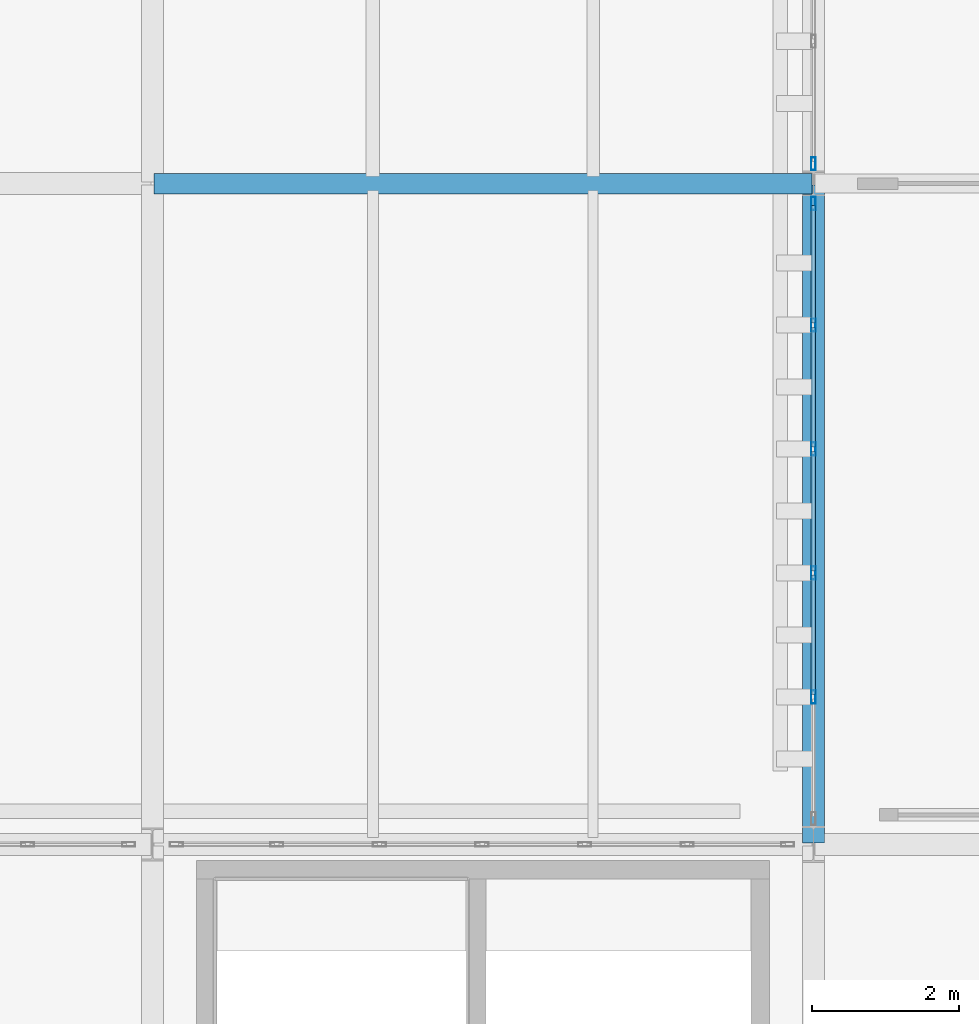
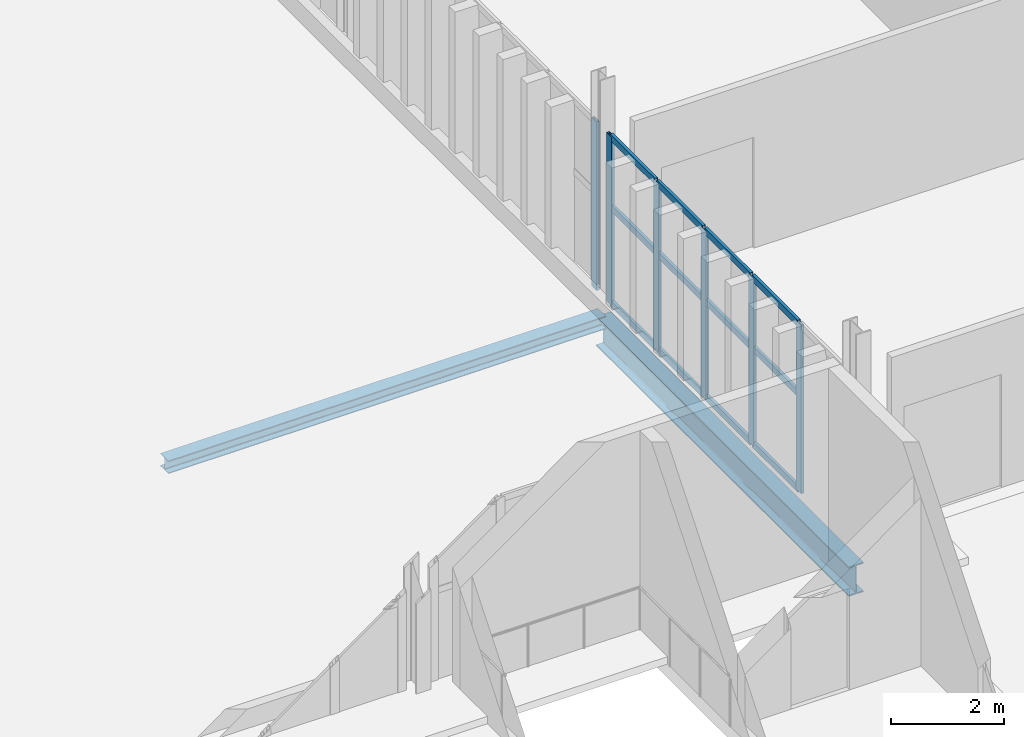
# One storey, part 46 of 196: 18 members, 2 beams, 2 elements without a shape of their own.
"""IFC4 building model written with IfcOpenShell, lengths in metres."""

from ifc_helpers import new_model, si_unit, direction, frame, origin, origin_2d, place, context, subcontext, project, spatial, hollow_rectangle, i_section, extrude, material, layer, layer_set, material_profile, profile_set, type_object, element, aggregate, save


model = new_model("IFC4")

# Units and contexts
model_context = context("Model", 3, precision=1e-05, world=origin(), true_north=direction((0.0, 1.0)))
body_context = subcontext(model_context, "Body", "Model", "MODEL_VIEW")
ifc_project = project(units=[si_unit("LENGTHUNIT", "METRE"), si_unit("AREAUNIT", "SQUARE_METRE"), si_unit("VOLUMEUNIT", "CUBIC_METRE"), si_unit("PLANEANGLEUNIT", "RADIAN"), si_unit("MASSUNIT", "GRAM", prefix="KILO")], contexts=[model_context])

# Site, building, storey
site_placement = place(None, origin())
site = spatial("IfcSite", under=ifc_project, at=site_placement, CompositionType="ELEMENT")
building_placement = place(site_placement, origin())
building = spatial("IfcBuilding", under=site, at=building_placement, Name="Barlavento Convention Centre", CompositionType="ELEMENT")
storey_placement = place(building_placement, frame((0.0, 0.0, 18.0)))
storey = spatial("IfcBuildingStorey", under=building, at=storey_placement, Name="L03", CompositionType="ELEMENT", Elevation=18.0)

# Curtain wall, members
ifc_material_1 = material(Name="Powder-coated aluminium and Low-E glass", Category="aluminium")
ifc_layer = layer(ifc_material_1, 0.179931640625)
ifc_layer_set = layer_set([ifc_layer], Name="ARC-CW-CONF-L03")
curtain_wall_type = type_object("IfcCurtainWallType", Name="ARC-CW-CONF-L03", PredefinedType="NOTDEFINED", material=ifc_layer_set)
curtain_wall_1_placement = place(storey_placement, origin())
curtain_wall_1 = element("IfcCurtainWall", 1, at=curtain_wall_1_placement, inside=storey, type_object=curtain_wall_type, Name="L03 unitised curtain wall CW08", PredefinedType="NOTDEFINED")
ifc_material_2 = material(Name="Powder-coated aluminium", Category="aluminium")
ifc_material_profile_1 = material_profile(ifc_material_2, hollow_rectangle(XDim=0.06005859375, YDim=0.179931640625, WallThickness=0.0048828125, at=origin_2d()), Name="AL-MULL 60x180x5")
ifc_profile_set_1 = profile_set([ifc_material_profile_1], Name="Powder-coated aluminium")
member_type_1 = type_object("IfcMemberType", Name="ARC-CWM-60X180", PredefinedType="MULLION", material=ifc_profile_set_1)
member_1_placement = place(storey_placement, frame((126.0, 56.008056640625, 0.0), z_axis=(0.0, 0.0, 1.0), x_axis=(-1.0, 0.0, 0.0)))
member_1 = element("IfcMember", 2, at=member_1_placement, type_object=member_type_1, Name="CW08 mullion 2", PredefinedType="MULLION", context=body_context, shape_type="SweptSolid", body=[
    extrude(hollow_rectangle(XDim=0.06005859375, YDim=0.179931640625, WallThickness=0.0048828125, at=origin_2d()), origin(), (0.0, 0.0, 1.0), 3.64990234375),
])
member_2_placement = place(storey_placement, frame((126.0, 57.696044921875, 0.0), z_axis=(0.0, 0.0, 1.0), x_axis=(-1.0, 0.0, 0.0)))
member_2 = element("IfcMember", 3, at=member_2_placement, type_object=member_type_1, Name="CW08 mullion 3", PredefinedType="MULLION", context=body_context, shape_type="SweptSolid", body=[
    extrude(hollow_rectangle(XDim=0.06005859375, YDim=0.179931640625, WallThickness=0.0048828125, at=origin_2d()), origin(), (0.0, 0.0, 1.0), 3.64990234375),
])
member_3_placement = place(storey_placement, frame((126.0, 59.384033203125, 0.0), z_axis=(0.0, 0.0, 1.0), x_axis=(-1.0, 0.0, 0.0)))
member_3 = element("IfcMember", 4, at=member_3_placement, type_object=member_type_1, Name="CW08 mullion 4", PredefinedType="MULLION", context=body_context, shape_type="SweptSolid", body=[
    extrude(hollow_rectangle(XDim=0.06005859375, YDim=0.179931640625, WallThickness=0.0048828125, at=origin_2d()), origin(), (0.0, 0.0, 1.0), 3.64990234375),
])
member_4_placement = place(storey_placement, frame((126.0, 61.072021484375, 0.0), z_axis=(0.0, 0.0, 1.0), x_axis=(-1.0, 0.0, 0.0)))
member_4 = element("IfcMember", 5, at=member_4_placement, type_object=member_type_1, Name="CW08 mullion 5", PredefinedType="MULLION", context=body_context, shape_type="SweptSolid", body=[
    extrude(hollow_rectangle(XDim=0.06005859375, YDim=0.179931640625, WallThickness=0.0048828125, at=origin_2d()), origin(), (0.0, 0.0, 1.0), 3.64990234375),
])
member_5_placement = place(storey_placement, frame((126.0, 62.72998046875, 0.0), z_axis=(0.0, 0.0, 1.0), x_axis=(-1.0, 0.0, 0.0)))
member_5 = element("IfcMember", 6, at=member_5_placement, type_object=member_type_1, Name="CW08 mullion 6", PredefinedType="MULLION", context=body_context, shape_type="SweptSolid", body=[
    extrude(hollow_rectangle(XDim=0.06005859375, YDim=0.179931640625, WallThickness=0.0048828125, at=origin_2d()), origin(), (0.0, 0.0, 1.0), 3.64990234375),
])

# Curtain wall, member
curtain_wall_2_placement = place(storey_placement, origin())
curtain_wall_2 = element("IfcCurtainWall", 7, at=curtain_wall_2_placement, inside=storey, type_object=curtain_wall_type, Name="L03 unitised curtain wall CW08", PredefinedType="NOTDEFINED")
member_6_placement = place(storey_placement, frame((126.0, 63.27001953125, 0.0), z_axis=(0.0, 0.0, 1.0), x_axis=(-1.0, 0.0, 0.0)))
member_6 = element("IfcMember", 8, at=member_6_placement, type_object=member_type_1, Name="CW08 mullion 1", PredefinedType="MULLION", context=body_context, shape_type="SweptSolid", body=[
    extrude(hollow_rectangle(XDim=0.06005859375, YDim=0.179931640625, WallThickness=0.0048828125, at=origin_2d()), origin(), (0.0, 0.0, 1.0), 3.64990234375),
])
aggregate(curtain_wall_2, [member_6])

# Member
ifc_material_profile_2 = material_profile(ifc_material_2, hollow_rectangle(XDim=0.06005859375, YDim=0.139892578125, WallThickness=0.00390625, at=origin_2d()), Name="AL-TRAN 60x140x4")
ifc_profile_set_2 = profile_set([ifc_material_profile_2], Name="Powder-coated aluminium")
member_type_2 = type_object("IfcMemberType", Name="ARC-CWT-60X140", PredefinedType="USERDEFINED", material=ifc_profile_set_2)
member_7_placement = place(storey_placement, frame((126.0, 56.0380859375, 0.030029296875), z_axis=(0.0, 1.0, 0.0), x_axis=(-1.0, 0.0, 0.0)))
member_7 = element("IfcMember", 9, at=member_7_placement, type_object=member_type_2, Name="CW08 transom 2.1", ObjectType="TRANSOM", PredefinedType="USERDEFINED", context=body_context, shape_type="SweptSolid", body=[
    extrude(hollow_rectangle(XDim=0.06005859375, YDim=0.139892578125, WallThickness=0.00390625, at=origin_2d()), origin(), (0.0, 0.0, 1.0), 1.6279296875),
])

member_8_placement = place(storey_placement, frame((126.0, 56.0380859375, 2.10009765625), z_axis=(0.0, 1.0, 0.0), x_axis=(-1.0, 0.0, 0.0)))
member_8 = element("IfcMember", 10, at=member_8_placement, type_object=member_type_2, Name="CW08 transom 2.2", ObjectType="TRANSOM", PredefinedType="USERDEFINED", context=body_context, shape_type="SweptSolid", body=[
    extrude(hollow_rectangle(XDim=0.06005859375, YDim=0.139892578125, WallThickness=0.00390625, at=origin_2d()), origin(), (0.0, 0.0, 1.0), 1.6279296875),
])

member_9_placement = place(storey_placement, frame((126.0, 56.0380859375, 3.6201171875), z_axis=(0.0, 1.0, 0.0), x_axis=(-1.0, 0.0, 0.0)))
member_9 = element("IfcMember", 11, at=member_9_placement, type_object=member_type_2, Name="CW08 transom 2.3", ObjectType="TRANSOM", PredefinedType="USERDEFINED", context=body_context, shape_type="SweptSolid", body=[
    extrude(hollow_rectangle(XDim=0.06005859375, YDim=0.139892578125, WallThickness=0.00390625, at=origin_2d()), origin(), (0.0, 0.0, 1.0), 1.6279296875),
])

member_10_placement = place(storey_placement, frame((126.0, 57.72607421875, 0.030029296875), z_axis=(0.0, 1.0, 0.0), x_axis=(-1.0, 0.0, 0.0)))
member_10 = element("IfcMember", 12, at=member_10_placement, type_object=member_type_2, Name="CW08 transom 3.1", ObjectType="TRANSOM", PredefinedType="USERDEFINED", context=body_context, shape_type="SweptSolid", body=[
    extrude(hollow_rectangle(XDim=0.06005859375, YDim=0.139892578125, WallThickness=0.00390625, at=origin_2d()), origin(), (0.0, 0.0, 1.0), 1.6279296875),
])

member_11_placement = place(storey_placement, frame((126.0, 57.72607421875, 2.10009765625), z_axis=(0.0, 1.0, 0.0), x_axis=(-1.0, 0.0, 0.0)))
member_11 = element("IfcMember", 13, at=member_11_placement, type_object=member_type_2, Name="CW08 transom 3.2", ObjectType="TRANSOM", PredefinedType="USERDEFINED", context=body_context, shape_type="SweptSolid", body=[
    extrude(hollow_rectangle(XDim=0.06005859375, YDim=0.139892578125, WallThickness=0.00390625, at=origin_2d()), origin(), (0.0, 0.0, 1.0), 1.6279296875),
])

member_12_placement = place(storey_placement, frame((126.0, 57.72607421875, 3.6201171875), z_axis=(0.0, 1.0, 0.0), x_axis=(-1.0, 0.0, 0.0)))
member_12 = element("IfcMember", 14, at=member_12_placement, type_object=member_type_2, Name="CW08 transom 3.3", ObjectType="TRANSOM", PredefinedType="USERDEFINED", context=body_context, shape_type="SweptSolid", body=[
    extrude(hollow_rectangle(XDim=0.06005859375, YDim=0.139892578125, WallThickness=0.00390625, at=origin_2d()), origin(), (0.0, 0.0, 1.0), 1.6279296875),
])

member_13_placement = place(storey_placement, frame((126.0, 59.4140625, 0.030029296875), z_axis=(0.0, 1.0, 0.0), x_axis=(-1.0, 0.0, 0.0)))
member_13 = element("IfcMember", 15, at=member_13_placement, type_object=member_type_2, Name="CW08 transom 4.1", ObjectType="TRANSOM", PredefinedType="USERDEFINED", context=body_context, shape_type="SweptSolid", body=[
    extrude(hollow_rectangle(XDim=0.06005859375, YDim=0.139892578125, WallThickness=0.00390625, at=origin_2d()), origin(), (0.0, 0.0, 1.0), 1.6279296875),
])

member_14_placement = place(storey_placement, frame((126.0, 59.4140625, 2.10009765625), z_axis=(0.0, 1.0, 0.0), x_axis=(-1.0, 0.0, 0.0)))
member_14 = element("IfcMember", 16, at=member_14_placement, type_object=member_type_2, Name="CW08 transom 4.2", ObjectType="TRANSOM", PredefinedType="USERDEFINED", context=body_context, shape_type="SweptSolid", body=[
    extrude(hollow_rectangle(XDim=0.06005859375, YDim=0.139892578125, WallThickness=0.00390625, at=origin_2d()), origin(), (0.0, 0.0, 1.0), 1.6279296875),
])

member_15_placement = place(storey_placement, frame((126.0, 59.4140625, 3.6201171875), z_axis=(0.0, 1.0, 0.0), x_axis=(-1.0, 0.0, 0.0)))
member_15 = element("IfcMember", 17, at=member_15_placement, type_object=member_type_2, Name="CW08 transom 4.3", ObjectType="TRANSOM", PredefinedType="USERDEFINED", context=body_context, shape_type="SweptSolid", body=[
    extrude(hollow_rectangle(XDim=0.06005859375, YDim=0.139892578125, WallThickness=0.00390625, at=origin_2d()), origin(), (0.0, 0.0, 1.0), 1.6279296875),
])

member_16_placement = place(storey_placement, frame((126.0, 61.10205078125, 0.030029296875), z_axis=(0.0, 1.0, 0.0), x_axis=(-1.0, 0.0, 0.0)))
member_16 = element("IfcMember", 18, at=member_16_placement, type_object=member_type_2, Name="CW08 transom 5.1", ObjectType="TRANSOM", PredefinedType="USERDEFINED", context=body_context, shape_type="SweptSolid", body=[
    extrude(hollow_rectangle(XDim=0.06005859375, YDim=0.139892578125, WallThickness=0.00390625, at=origin_2d()), origin(), (0.0, 0.0, 1.0), 1.597900390625),
])

member_17_placement = place(storey_placement, frame((126.0, 61.10205078125, 2.10009765625), z_axis=(0.0, 1.0, 0.0), x_axis=(-1.0, 0.0, 0.0)))
member_17 = element("IfcMember", 19, at=member_17_placement, type_object=member_type_2, Name="CW08 transom 5.2", ObjectType="TRANSOM", PredefinedType="USERDEFINED", context=body_context, shape_type="SweptSolid", body=[
    extrude(hollow_rectangle(XDim=0.06005859375, YDim=0.139892578125, WallThickness=0.00390625, at=origin_2d()), origin(), (0.0, 0.0, 1.0), 1.597900390625),
])

member_18_placement = place(storey_placement, frame((126.0, 61.10205078125, 3.6201171875), z_axis=(0.0, 1.0, 0.0), x_axis=(-1.0, 0.0, 0.0)))
member_18 = element("IfcMember", 20, at=member_18_placement, type_object=member_type_2, Name="CW08 transom 5.3", ObjectType="TRANSOM", PredefinedType="USERDEFINED", context=body_context, shape_type="SweptSolid", body=[
    extrude(hollow_rectangle(XDim=0.06005859375, YDim=0.139892578125, WallThickness=0.00390625, at=origin_2d()), origin(), (0.0, 0.0, 1.0), 1.597900390625),
])

aggregate(curtain_wall_1, [member_1, member_2, member_3, member_4, member_5, member_7, member_8, member_9, member_10, member_11, member_12, member_13, member_14, member_15, member_16, member_17, member_18])

# Beams
ifc_material_3 = material(Name="Steel S355", Category="steel")
ifc_material_profile_3 = material_profile(ifc_material_3, i_section(OverallWidth=0.300048828125, OverallDepth=0.639892578125, WebThickness=0.013427734375, FlangeThickness=0.02587890625, FilletRadius=0.027099609375, at=origin_2d()), Name="HEA 650")
ifc_profile_set_3 = profile_set([ifc_material_profile_3], Name="Steel S355")
beam_type_1 = type_object("IfcBeamType", Name="STR-BM-PRI-HEA650", PredefinedType="BEAM", material=ifc_profile_set_3)
beam_1_placement = place(storey_placement, frame((126.0, 54.02001953125, -0.7099609375), z_axis=(0.0, 1.0, 0.0), x_axis=(-1.0, 0.0, 0.0)))
element("IfcBeam", 21, at=beam_1_placement, inside=storey, type_object=beam_type_1, Name="L03 grid girder BG17", PredefinedType="BEAM", context=body_context, shape_type="SweptSolid", body=[
    extrude(i_section(OverallWidth=0.300048828125, OverallDepth=0.639892578125, WebThickness=0.013427734375, FlangeThickness=0.02587890625, FilletRadius=0.027099609375, at=origin_2d()), origin(), (0.0, 0.0, 1.0), 8.9599609375),
])
ifc_material_profile_4 = material_profile(ifc_material_3, i_section(OverallWidth=0.280029296875, OverallDepth=0.280029296875, WebThickness=0.010498046875, FlangeThickness=0.01806640625, FilletRadius=0.02392578125, at=origin_2d()), Name="HEB 280")
ifc_profile_set_4 = profile_set([ifc_material_profile_4], Name="Steel S355")
beam_type_2 = type_object("IfcBeamType", Name="STR-BM-PRI-HEB280", PredefinedType="BEAM", material=ifc_profile_set_4)
beam_2_placement = place(storey_placement, frame((117.02001953125, 63.0, -0.5), z_axis=(1.0, 0.0, 0.0), x_axis=(0.0, 1.0, 0.0)))
element("IfcBeam", 22, at=beam_2_placement, inside=storey, type_object=beam_type_2, Name="L03 primary girder BG15", PredefinedType="BEAM", context=body_context, shape_type="SweptSolid", body=[
    extrude(i_section(OverallWidth=0.280029296875, OverallDepth=0.280029296875, WebThickness=0.010498046875, FlangeThickness=0.01806640625, FilletRadius=0.02392578125, at=origin_2d()), origin(), (0.0, 0.0, 1.0), 8.9599609375),
])

save(model, "model.ifc")
